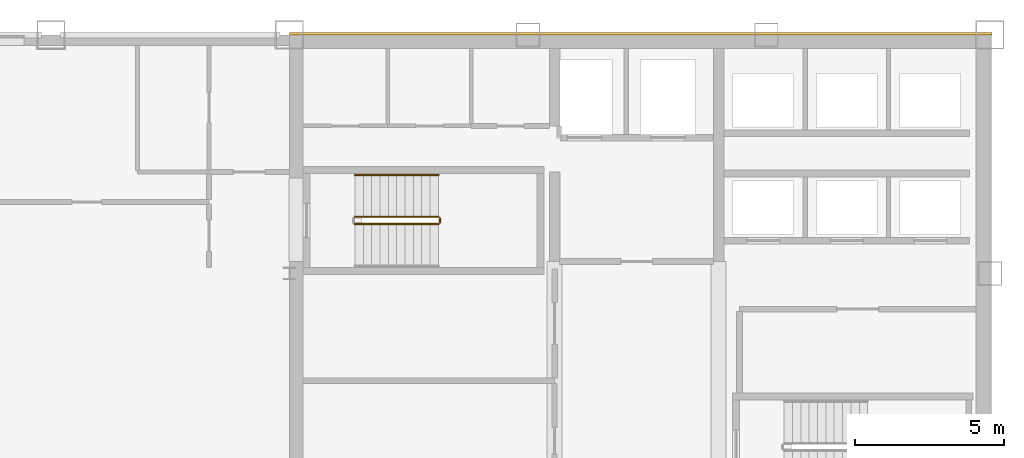
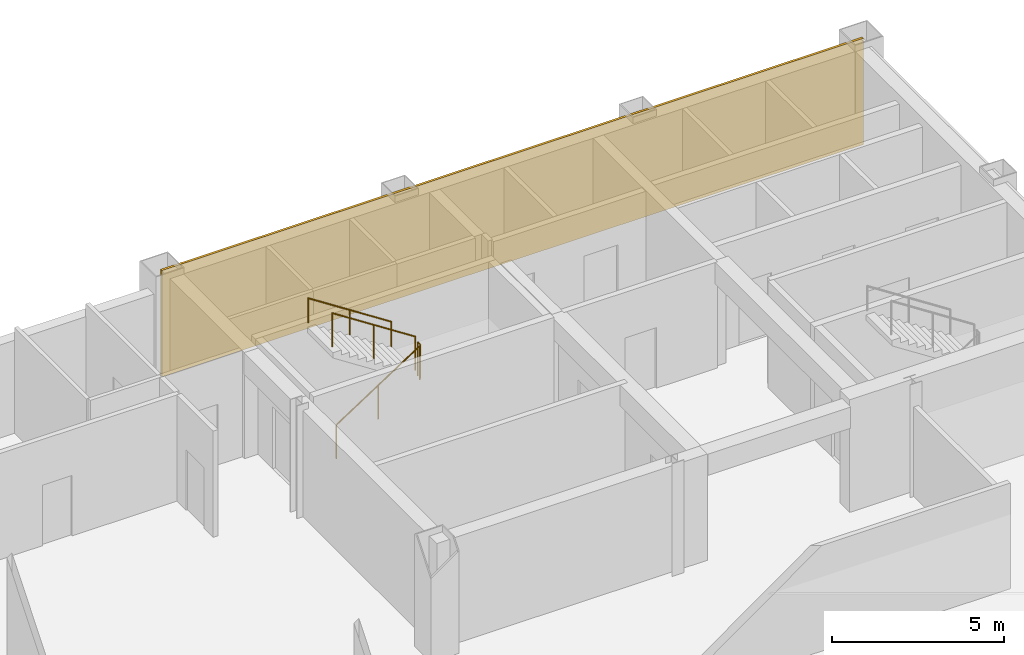
# One storey, part 10 of 10: 4 railings, 1 covering.
"""IFC4 building model written with IfcOpenShell, lengths in metres."""

from ifc_helpers import new_model, si_unit, direction, frame, origin, origin_2d, place, context, subcontext, project, spatial, rectangle, circle, extrude, material, layer, layer_set, type_object, element, save


model = new_model("IFC4")

# Units and contexts
model_context = context("Model", 3, precision=1e-05, world=origin(), true_north=direction((0.0, 1.0)))
body_context = subcontext(model_context, "Body", "Model", "MODEL_VIEW")
ifc_project = project(units=[si_unit("LENGTHUNIT", "METRE"), si_unit("AREAUNIT", "SQUARE_METRE"), si_unit("VOLUMEUNIT", "CUBIC_METRE"), si_unit("PLANEANGLEUNIT", "RADIAN"), si_unit("MASSUNIT", "GRAM", prefix="KILO")], contexts=[model_context])

# Site, building, storey
site_placement = place(None, origin())
site = spatial("IfcSite", under=ifc_project, at=site_placement, CompositionType="ELEMENT")
building_placement = place(site_placement, origin())
building = spatial("IfcBuilding", under=site, at=building_placement, Name="Qianrong Seaharbour Tower", CompositionType="ELEMENT")
storey_placement = place(building_placement, frame((0.0, 0.0, 237.800048828125)))
storey = spatial("IfcBuildingStorey", under=building, at=storey_placement, Name="L57", CompositionType="ELEMENT", Elevation=237.800048828125)

# Covering
ifc_material_1 = material(Name="Unitised red brick cladding on Precast concrete C45/55", Category="masonry")
ifc_layer = layer(ifc_material_1, 0.080078125)
ifc_layer_set = layer_set([ifc_layer], Name="Unitised red brick cladding on Precast concrete C45/55")
covering_type = type_object("IfcCoveringType", Name="COV-CLAD-RED-BRICK-80", PredefinedType="CLADDING", material=ifc_layer_set)
covering_placement = place(storey_placement, frame((52.2900390625, 52.0400390625, 0.0), z_axis=(0.0, 0.0, 1.0), x_axis=(1.0, 0.0, 0.0)))
element("IfcCovering", 1, at=covering_placement, inside=storey, type_object=covering_type, Name="L57 North Core Brick Veneer Cladding", PredefinedType="CLADDING", context=body_context, shape_type="SweptSolid", body=[
    extrude(rectangle(XDim=23.580078125, YDim=0.080078125, at=origin_2d()), origin(), (0.0, 0.0, 1.0), 3.77490234375),
])

# Railings
ifc_material_2 = material(Name="Galvanized painted steel SN400B stair guard", Category="steel")
railing_type_1 = type_object("IfcRailingType", Name="RAIL-STAIR-GUARD-1220", PredefinedType="GUARDRAIL", material=ifc_material_2)
railing_1_placement = place(storey_placement, frame((42.699951171875, 45.64990234375, 0.181884765625)))
element("IfcRailing", 2, at=railing_1_placement, inside=storey, type_object=railing_type_1, Name="L57 ST-1 stair guard 1", PredefinedType="GUARDRAIL", context=body_context, shape_type="SweptSolid", body=[
    extrude(circle(Radius=0.02392578125, at=origin_2d()), frame((0.0, 0.0, 1.19580078125), z_axis=(0.838705829183, 0.0, 0.544584733623), x_axis=(0.0, 1.0, 0.0)), (0.0, 0.0, 1.0), 3.338623046875),
    extrude(circle(Radius=0.02099609375, at=origin_2d()), origin(), (0.0, 0.0, 1.0), 1.171875),
    extrude(circle(Radius=0.02099609375, at=origin_2d()), frame((1.39990234375, 0.0, 0.9091796875)), (0.0, 0.0, 1.0), 1.171875),
    extrude(circle(Radius=0.02099609375, at=origin_2d()), frame((2.800048828125, 0.0, 1.818115234375)), (0.0, 0.0, 1.0), 1.171875),
])
railing_2_placement = place(storey_placement, frame((45.550048828125, 45.699951171875, 2.0)))
element("IfcRailing", 3, at=railing_2_placement, inside=storey, type_object=railing_type_1, Name="L57 ST-1 stair guard 2", PredefinedType="GUARDRAIL", context=body_context, shape_type="SweptSolid", body=[
    extrude(circle(Radius=0.02392578125, at=origin_2d()), frame((0.0, 0.0, 1.19580078125), z_axis=(0.0, 1.0, 0.0), x_axis=(-1.0, 0.0, 0.0)), (0.0, 0.0, 1.0), 0.150146484375),
    extrude(circle(Radius=0.02099609375, at=origin_2d()), origin(), (0.0, 0.0, 1.0), 1.171875),
    extrude(circle(Radius=0.02099609375, at=origin_2d()), frame((0.0, 0.150146484375, 0.0)), (0.0, 0.0, 1.0), 1.171875),
])
railing_3_placement = place(storey_placement, frame((45.5, 45.89990234375, 2.181884765625)))
element("IfcRailing", 4, at=railing_3_placement, inside=storey, type_object=railing_type_1, Name="L57 ST-1 stair guard 3", PredefinedType="GUARDRAIL", context=body_context, shape_type="SweptSolid", body=[
    extrude(circle(Radius=0.02392578125, at=origin_2d()), frame((0.0, 0.0, 1.19580078125), z_axis=(-0.838705829183, 0.0, 0.544584733623), x_axis=(0.0, -1.0, 0.0)), (0.0, 0.0, 1.0), 3.338623046875),
    extrude(circle(Radius=0.02099609375, at=origin_2d()), origin(), (0.0, 0.0, 1.0), 1.171875),
    extrude(circle(Radius=0.02099609375, at=origin_2d()), frame((-1.39990234375, 0.0, 0.9091796875)), (0.0, 0.0, 1.0), 1.171875),
    extrude(circle(Radius=0.02099609375, at=origin_2d()), frame((-2.800048828125, 0.0, 1.818115234375)), (0.0, 0.0, 1.0), 1.171875),
])
ifc_material_3 = material(Name="Stainless steel SUS316L continuous handrail", Category="steel")
railing_type_2 = type_object("IfcRailingType", Name="RAIL-STAIR-HANDRAIL-900", PredefinedType="HANDRAIL", material=ifc_material_3)
railing_4_placement = place(storey_placement, frame((45.5, 47.300048828125, 2.181884765625)))
element("IfcRailing", 5, at=railing_4_placement, inside=storey, type_object=railing_type_2, Name="L57 ST-1 stair handrail 2", PredefinedType="HANDRAIL", context=body_context, shape_type="SweptSolid", body=[
    extrude(circle(Radius=0.02392578125, at=origin_2d()), frame((0.0, 0.0, 0.8759765625), z_axis=(-0.838705829183, 0.0, 0.544584733623), x_axis=(0.0, -1.0, 0.0)), (0.0, 0.0, 1.0), 3.338623046875),
    extrude(circle(Radius=0.02099609375, at=origin_2d()), origin(), (0.0, 0.0, 1.0), 0.851806640625),
    extrude(circle(Radius=0.02099609375, at=origin_2d()), frame((-1.39990234375, 0.0, 0.9091796875)), (0.0, 0.0, 1.0), 0.851806640625),
    extrude(circle(Radius=0.02099609375, at=origin_2d()), frame((-2.800048828125, 0.0, 1.818115234375)), (0.0, 0.0, 1.0), 0.851806640625),
])

save(model, "model.ifc")
